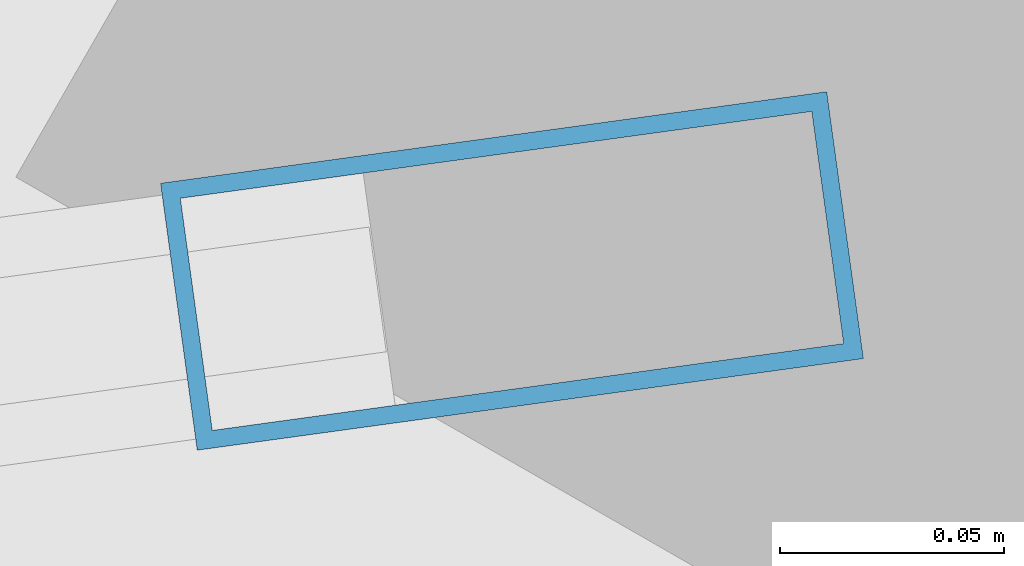
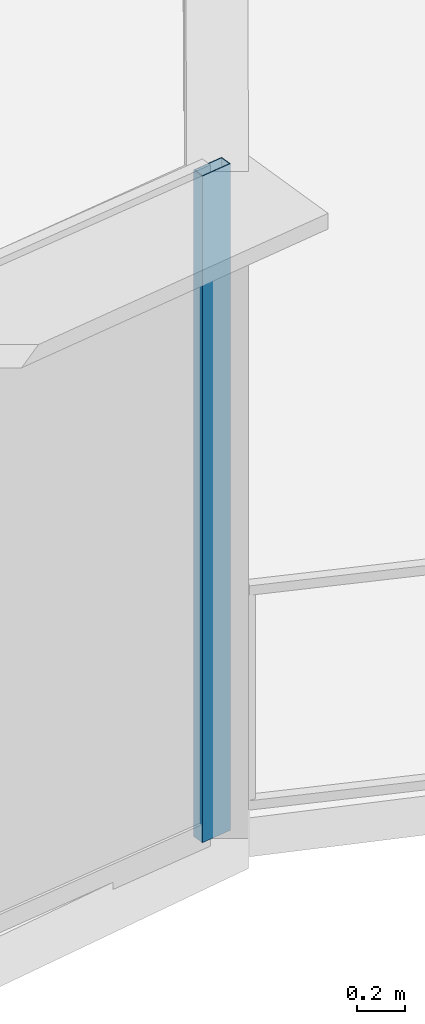
# One storey, part 22 of 39: 1 member, 1 element without a shape of its own.
"""IFC4 building model written with IfcOpenShell, lengths in metres."""

from ifc_helpers import new_model, si_unit, direction, frame, origin, origin_2d, place, context, subcontext, project, spatial, hollow_rectangle, extrude, source, transform, mapped, material, layer, layer_set, material_profile, profile_set, type_object, element, aggregate, save


model = new_model("IFC4")

# Units and contexts
model_context = context("Model", 3, precision=1e-05, world=origin(), true_north=direction((0.0, 1.0)))
body_context = subcontext(model_context, "Body", "Model", "MODEL_VIEW")
ifc_project = project(units=[si_unit("LENGTHUNIT", "METRE"), si_unit("AREAUNIT", "SQUARE_METRE"), si_unit("VOLUMEUNIT", "CUBIC_METRE"), si_unit("PLANEANGLEUNIT", "RADIAN"), si_unit("MASSUNIT", "GRAM", prefix="KILO"), si_unit("THERMODYNAMICTEMPERATUREUNIT", "KELVIN"), si_unit("POWERUNIT", "WATT")], contexts=[model_context])

# Site, building, storey
site_placement = place(None, origin())
site = spatial("IfcSite", under=ifc_project, at=site_placement, CompositionType="ELEMENT")
building_placement = place(site_placement, origin())
building = spatial("IfcBuilding", under=site, at=building_placement, Name="Yunzhuo Pagoda Commons", CompositionType="ELEMENT")
storey_placement = place(building_placement, frame((0.0, 0.0, 140.8701171875)))
storey = spatial("IfcBuildingStorey", under=building, at=storey_placement, Name="L35", CompositionType="ELEMENT", Elevation=140.8701171875)

# Curtain wall, member
ifc_material = material(Name="Anodized aluminium 6063-T6", Category="aluminium")
ifc_layer = layer(ifc_material, 0.14990234375)
ifc_layer_set = layer_set([ifc_layer], Name="Anodized aluminium 6063-T6")
curtain_wall_type = type_object("IfcCurtainWallType", Name="CW-MID Mid-Zone Ribbon Curtain Wall", PredefinedType="NOTDEFINED", material=ifc_layer_set)
curtain_wall_placement = place(storey_placement, origin())
curtain_wall = element("IfcCurtainWall", 1, at=curtain_wall_placement, inside=storey, type_object=curtain_wall_type, Name="L35 curtain wall CW-L35-F1B5", PredefinedType="NOTDEFINED")
ifc_material_profile = material_profile(ifc_material, hollow_rectangle(XDim=0.06005859375, YDim=0.14990234375, WallThickness=0.00390625, at=origin_2d()), Name="Anodized aluminium 6063-T6")
ifc_profile_set = profile_set([ifc_material_profile], Name="Anodized aluminium 6063-T6")
member_type = type_object("IfcMemberType", Name="CW-MID-M Mullion RHS 150x60x4", PredefinedType="MULLION", material=ifc_profile_set)
shared_shape = source(origin(), body_context, "Body", "SweptSolid", [
    extrude(hollow_rectangle(XDim=0.06005859375, YDim=0.14990234375, WallThickness=0.00390625, at=origin_2d()), origin(), (0.0, 0.0, 1.0), 3.419921875),
])
member_placement = place(storey_placement, frame((83.485595703125, 16.39990234375, 0.0), z_axis=(0.0, 0.0, 1.0), x_axis=(-0.136220738131, 0.990678510165, 0.0)))
member = element("IfcMember", 2, at=member_placement, type_object=member_type, Name="CW mullion 2", PredefinedType="MULLION", context=body_context, shape_type="MappedRepresentation", body=[
    mapped(shared_shape, transform((0.0, 0.0, 0.0), scale=1.0)),
])
aggregate(curtain_wall, [member])

save(model, "model.ifc")
